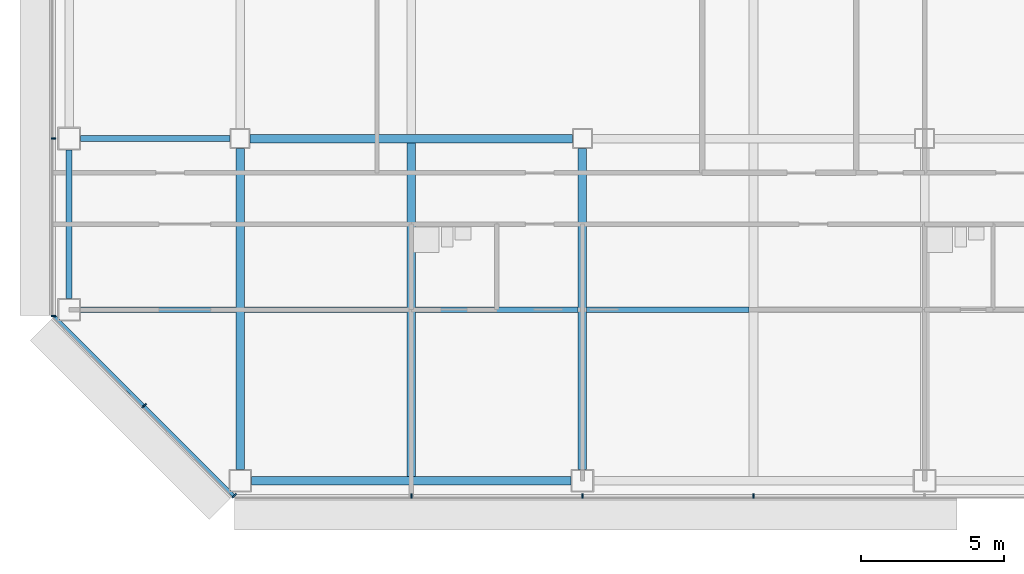
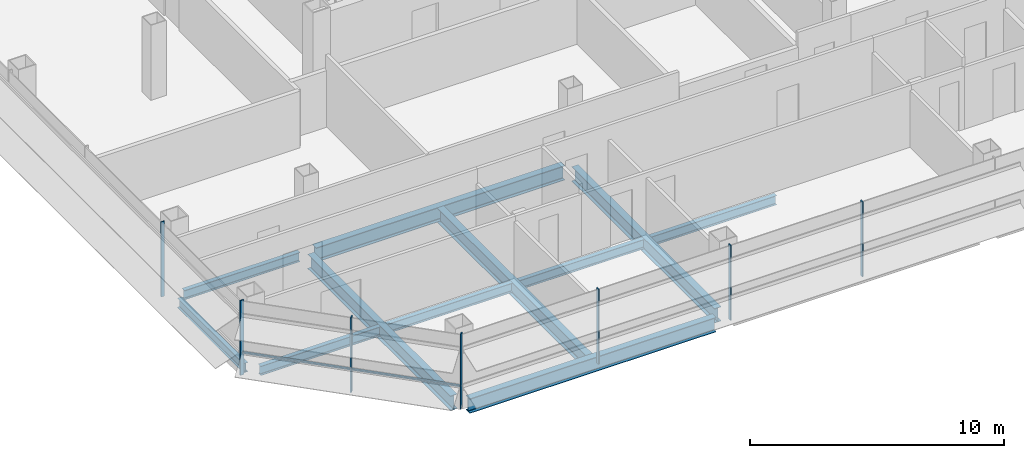
# One storey, part 2 of 25: 11 beams, 8 members, 3 elements without a shape of their own.
"""IFC4 building model written with IfcOpenShell, lengths in metres."""

from ifc_helpers import new_model, si_unit, direction, frame, origin, origin_2d, place, context, subcontext, project, spatial, rectangle, i_section, extrude, material, material_profile, profile_set, type_object, element, aggregate, save


model = new_model("IFC4")

# Units and contexts
model_context = context("Model", 3, precision=1e-05, world=origin(), true_north=direction((0.0, 1.0)))
body_context = subcontext(model_context, "Body", "Model", "MODEL_VIEW")
ifc_project = project(units=[si_unit("LENGTHUNIT", "METRE"), si_unit("AREAUNIT", "SQUARE_METRE"), si_unit("VOLUMEUNIT", "CUBIC_METRE"), si_unit("PLANEANGLEUNIT", "RADIAN"), si_unit("MASSUNIT", "GRAM", prefix="KILO")], contexts=[model_context])

# Site, building, storey
site_placement = place(None, origin())
site = spatial("IfcSite", under=ifc_project, at=site_placement, CompositionType="ELEMENT")
building_placement = place(site_placement, origin())
building = spatial("IfcBuilding", under=site, at=building_placement, Name="Sorahane Residences", CompositionType="ELEMENT")
storey_placement = place(building_placement, frame((0.0, 0.0, 107.0)))
storey = spatial("IfcBuildingStorey", under=building, at=storey_placement, Name="L23", CompositionType="ELEMENT", Elevation=107.0)

# Curtain wall, members
ifc_material_1 = material(Name="Dark low-e glass and black anodised aluminium", Category="aluminium")
curtain_wall_type_1 = type_object("IfcCurtainWallType", Name="Curtain wall CW-1 Typical unitised wall", PredefinedType="NOTDEFINED", material=ifc_material_1)
curtain_wall_1_placement = place(storey_placement, origin())
curtain_wall_1 = element("IfcCurtainWall", 1, at=curtain_wall_1_placement, inside=storey, type_object=curtain_wall_type_1, Name="CW-1 curtain wall L23 S1", PredefinedType="NOTDEFINED")
ifc_material_2 = material(Name="Black anodised aluminium", Category="aluminium")
ifc_material_profile_1 = material_profile(ifc_material_2, rectangle(XDim=0.159912109375, YDim=0.050048828125, at=origin_2d()), Name="Curtain wall mullion CW-1 black anodised aluminium 50x160")
ifc_profile_set_1 = profile_set([ifc_material_profile_1], Name="Black anodised aluminium")
member_type_1 = type_object("IfcMemberType", Name="Curtain wall mullion CW-1 black anodised aluminium 50x160", PredefinedType="MULLION", material=ifc_profile_set_1)
member_1_placement = place(storey_placement, frame((6.0, -0.5400390625, -0.179931640625), z_axis=(0.0, 0.0, 1.0), x_axis=(0.0, -1.0, 0.0)))
member_1 = element("IfcMember", 2, at=member_1_placement, type_object=member_type_1, Name="CW-1 mullion L23 S1.2", PredefinedType="MULLION", context=body_context, shape_type="SweptSolid", body=[
    extrude(rectangle(XDim=0.159912109375, YDim=0.050048828125, at=origin_2d()), origin(), (0.0, 0.0, 1.0), 3.599853515625),
])
member_2_placement = place(storey_placement, frame((12.0, -0.5400390625, -0.179931640625), z_axis=(0.0, 0.0, 1.0), x_axis=(0.0, -1.0, 0.0)))
member_2 = element("IfcMember", 3, at=member_2_placement, type_object=member_type_1, Name="CW-1 mullion L23 S1.3", PredefinedType="MULLION", context=body_context, shape_type="SweptSolid", body=[
    extrude(rectangle(XDim=0.159912109375, YDim=0.050048828125, at=origin_2d()), origin(), (0.0, 0.0, 1.0), 3.599853515625),
])
member_3_placement = place(storey_placement, frame((18.0, -0.5400390625, -0.179931640625), z_axis=(0.0, 0.0, 1.0), x_axis=(0.0, -1.0, 0.0)))
member_3 = element("IfcMember", 4, at=member_3_placement, type_object=member_type_1, Name="CW-1 mullion L23 S1.4", PredefinedType="MULLION", context=body_context, shape_type="SweptSolid", body=[
    extrude(rectangle(XDim=0.159912109375, YDim=0.050048828125, at=origin_2d()), origin(), (0.0, 0.0, 1.0), 3.599853515625),
])
aggregate(curtain_wall_1, [member_1, member_2, member_3])

curtain_wall_2_placement = place(storey_placement, origin())
curtain_wall_2 = element("IfcCurtainWall", 5, at=curtain_wall_2_placement, inside=storey, type_object=curtain_wall_type_1, Name="CW-1 curtain wall L23 W1", PredefinedType="NOTDEFINED")
member_4_placement = place(storey_placement, frame((-6.5400390625, 12.0, -0.179931640625), z_axis=(0.0, 0.0, 1.0), x_axis=(-1.0, 0.0, 0.0)))
member_4 = element("IfcMember", 6, at=member_4_placement, type_object=member_type_1, Name="CW-1 mullion L23 W1.6", PredefinedType="MULLION", context=body_context, shape_type="SweptSolid", body=[
    extrude(rectangle(XDim=0.159912109375, YDim=0.050048828125, at=origin_2d()), origin(), (0.0, 0.0, 1.0), 3.599853515625),
])
member_5_placement = place(storey_placement, frame((-6.5400390625, 5.7763671875, -0.179931640625), z_axis=(0.0, 0.0, 1.0), x_axis=(-1.0, 0.0, 0.0)))
member_5 = element("IfcMember", 7, at=member_5_placement, type_object=member_type_1, Name="CW-1 mullion L23 W1.7", PredefinedType="MULLION", context=body_context, shape_type="SweptSolid", body=[
    extrude(rectangle(XDim=0.159912109375, YDim=0.050048828125, at=origin_2d()), origin(), (0.0, 0.0, 1.0), 3.599853515625),
])
aggregate(curtain_wall_2, [member_4, member_5])

ifc_material_3 = material(Name="Dark low-e glass and black anodised aluminium", Category="aluminium")
curtain_wall_type_2 = type_object("IfcCurtainWallType", Name="Curtain wall CW-2 Chamfer unitised wall", PredefinedType="NOTDEFINED", material=ifc_material_3)
curtain_wall_3_placement = place(storey_placement, origin())
curtain_wall_3 = element("IfcCurtainWall", 8, at=curtain_wall_3_placement, inside=storey, type_object=curtain_wall_type_2, Name="CW-2 curtain wall L23 SW1", PredefinedType="NOTDEFINED")
ifc_material_4 = material(Name="Black anodised aluminium", Category="aluminium")
ifc_material_profile_2 = material_profile(ifc_material_4, rectangle(XDim=0.199951171875, YDim=0.050048828125, at=origin_2d()), Name="Curtain wall mullion CW-2 black anodised aluminium 50x200")
ifc_profile_set_2 = profile_set([ifc_material_profile_2], Name="Black anodised aluminium")
member_type_2 = type_object("IfcMemberType", Name="Curtain wall mullion CW-2 black anodised aluminium 50x200", PredefinedType="MULLION", material=ifc_profile_set_2)
member_6_placement = place(storey_placement, frame((-3.36767578125, 2.63232421875, -0.179931640625), z_axis=(0.0, 0.0, 1.0), x_axis=(-0.707106781187, -0.707106781187, 0.0)))
member_6 = element("IfcMember", 9, at=member_6_placement, type_object=member_type_2, Name="CW-2 mullion L23 SW1.2", PredefinedType="MULLION", context=body_context, shape_type="SweptSolid", body=[
    extrude(rectangle(XDim=0.199951171875, YDim=0.050048828125, at=origin_2d()), origin(), (0.0, 0.0, 1.0), 3.599853515625),
])
member_7_placement = place(storey_placement, frame((-0.209716796875, -0.525634765625, -0.179931640625), z_axis=(0.0, 0.0, 1.0), x_axis=(-0.707106781187, -0.707106781187, 0.0)))
member_7 = element("IfcMember", 10, at=member_7_placement, type_object=member_type_2, Name="CW-2 mullion L23 SW1.3", PredefinedType="MULLION", context=body_context, shape_type="SweptSolid", body=[
    extrude(rectangle(XDim=0.199951171875, YDim=0.050048828125, at=origin_2d()), origin(), (0.0, 0.0, 1.0), 3.599853515625),
])
ifc_material_5 = material(Name="Black anodised aluminium", Category="aluminium")
ifc_material_profile_3 = material_profile(ifc_material_5, rectangle(XDim=0.10009765625, YDim=0.06005859375, at=origin_2d()), Name="Curtain wall transom CW-2 black anodised aluminium 60x100")
ifc_profile_set_3 = profile_set([ifc_material_profile_3], Name="Black anodised aluminium")
member_type_3 = type_object("IfcMemberType", Name="Curtain wall transom CW-2 black anodised aluminium 60x100", PredefinedType="USERDEFINED", material=ifc_profile_set_3)
member_8_placement = place(storey_placement, frame((-6.51513671875, 5.765625, 0.89990234375), z_axis=(0.707106781187, -0.707106781187, 0.0), x_axis=(0.707106781187, 0.707106781187, 0.0)))
member_8 = element("IfcMember", 11, at=member_8_placement, type_object=member_type_3, Name="CW-2 transom L23 SW1", ObjectType="TRANSOM", PredefinedType="USERDEFINED", context=body_context, shape_type="SweptSolid", body=[
    extrude(rectangle(XDim=0.10009765625, YDim=0.06005859375, at=origin_2d()), origin(), (0.0, 0.0, 1.0), 8.88232421875),
])
aggregate(curtain_wall_3, [member_6, member_7, member_8])

# Beams
ifc_material_6 = material(Name="Steel Q355B", Category="steel")
ifc_material_profile_4 = material_profile(ifc_material_6, i_section(OverallWidth=0.199951171875, OverallDepth=0.449951171875, WebThickness=0.009033203125, FlangeThickness=0.013916015625, FilletRadius=0.02001953125, at=origin_2d()), Name="HN 450x200x9x14")
ifc_profile_set_4 = profile_set([ifc_material_profile_4], Name="Steel Q355B")
beam_type_1 = type_object("IfcBeamType", Name="Steel floor beam HN 450x200x9x14 Q355B", PredefinedType="BEAM", material=ifc_profile_set_4)
beam_1_placement = place(storey_placement, frame((-5.60009765625, 12.0, -0.405029296875), z_axis=(1.0, 0.0, 0.0), x_axis=(0.0, 1.0, 0.0)))
element("IfcBeam", 12, at=beam_1_placement, inside=storey, type_object=beam_type_1, Name="Beam L23 005", PredefinedType="BEAM", context=body_context, shape_type="SweptSolid", body=[
    extrude(i_section(OverallWidth=0.199951171875, OverallDepth=0.449951171875, WebThickness=0.009033203125, FlangeThickness=0.013916015625, FilletRadius=0.02001953125, at=origin_2d()), origin(), (0.0, 0.0, 1.0), 5.25),
])
beam_2_placement = place(storey_placement, frame((-6.0, 6.39990234375, -0.405029296875), z_axis=(0.0, 1.0, 0.0), x_axis=(-1.0, 0.0, 0.0)))
element("IfcBeam", 13, at=beam_2_placement, inside=storey, type_object=beam_type_1, Name="Beam L23 020", PredefinedType="BEAM", context=body_context, shape_type="SweptSolid", body=[
    extrude(i_section(OverallWidth=0.199951171875, OverallDepth=0.449951171875, WebThickness=0.009033203125, FlangeThickness=0.013916015625, FilletRadius=0.02001953125, at=origin_2d()), origin(), (0.0, 0.0, 1.0), 5.2001953125),
])
beam_3_placement = place(storey_placement, frame((-5.60009765625, 6.0, -0.405029296875), z_axis=(1.0, 0.0, 0.0), x_axis=(0.0, 1.0, 0.0)))
element("IfcBeam", 14, at=beam_3_placement, inside=storey, type_object=beam_type_1, Name="Beam L23 068", PredefinedType="BEAM", context=body_context, shape_type="SweptSolid", body=[
    extrude(i_section(OverallWidth=0.199951171875, OverallDepth=0.449951171875, WebThickness=0.009033203125, FlangeThickness=0.013916015625, FilletRadius=0.02001953125, at=origin_2d()), origin(), (0.0, 0.0, 1.0), 5.4501953125),
])
for number, where, z_axis, x_axis, name in (
    (15, (0.14990234375, 6.0, -0.405029296875), (1.0, 0.0, 0.0), (0.0, 1.0, 0.0), "Beam L23 069"),
    (16, (6.14990234375, 6.0, -0.405029296875), (1.0, 0.0, 0.0), (0.0, 1.0, 0.0), "Beam L23 070"),
    (17, (12.14990234375, 6.0, -0.405029296875), (1.0, 0.0, 0.0), (0.0, 1.0, 0.0), "Beam L23 071"),
):
    element("IfcBeam", number, at=place(storey_placement, frame(where, z_axis=z_axis, x_axis=x_axis)), inside=storey, type_object=beam_type_1, Name=name, PredefinedType="BEAM", context=body_context, shape_type="SweptSolid", body=[
        extrude(i_section(OverallWidth=0.199951171875, OverallDepth=0.449951171875, WebThickness=0.009033203125, FlangeThickness=0.013916015625, FilletRadius=0.02001953125, at=origin_2d()), origin(), (0.0, 0.0, 1.0), 5.7001953125),
    ])
ifc_material_7 = material(Name="Steel Q355B", Category="steel")
ifc_material_profile_5 = material_profile(ifc_material_7, i_section(OverallWidth=0.300048828125, OverallDepth=0.699951171875, WebThickness=0.012939453125, FlangeThickness=0.02392578125, FilletRadius=0.028076171875, at=origin_2d()), Name="HN 700x300x13x24")
ifc_profile_set_5 = profile_set([ifc_material_profile_5], Name="Steel Q355B")
beam_type_2 = type_object("IfcBeamType", Name="Steel floor beam HN 700x300x13x24 Q355B", PredefinedType="BEAM", material=ifc_profile_set_5)
beam_4_placement = place(storey_placement, frame((0.39990234375, 0.0, -0.530029296875), z_axis=(1.0, 0.0, 0.0), x_axis=(0.0, 1.0, 0.0)))
element("IfcBeam", 18, at=beam_4_placement, inside=storey, type_object=beam_type_2, Name="Beam L23 000", PredefinedType="BEAM", context=body_context, shape_type="SweptSolid", body=[
    extrude(i_section(OverallWidth=0.300048828125, OverallDepth=0.699951171875, WebThickness=0.012939453125, FlangeThickness=0.02392578125, FilletRadius=0.028076171875, at=origin_2d()), origin(), (0.0, 0.0, 1.0), 11.2001953125),
])
beam_5_placement = place(storey_placement, frame((0.35009765625, 12.0, -0.530029296875), z_axis=(1.0, 0.0, 0.0), x_axis=(0.0, 1.0, 0.0)))
element("IfcBeam", 19, at=beam_5_placement, inside=storey, type_object=beam_type_2, Name="Beam L23 006", PredefinedType="BEAM", context=body_context, shape_type="SweptSolid", body=[
    extrude(i_section(OverallWidth=0.300048828125, OverallDepth=0.699951171875, WebThickness=0.012939453125, FlangeThickness=0.02392578125, FilletRadius=0.028076171875, at=origin_2d()), origin(), (0.0, 0.0, 1.0), 11.2998046875),
])
beam_6_placement = place(storey_placement, frame((0.0, 0.39990234375, -0.530029296875), z_axis=(0.0, 1.0, 0.0), x_axis=(-1.0, 0.0, 0.0)))
element("IfcBeam", 20, at=beam_6_placement, inside=storey, type_object=beam_type_2, Name="Beam L23 024", PredefinedType="BEAM", context=body_context, shape_type="SweptSolid", body=[
    extrude(i_section(OverallWidth=0.300048828125, OverallDepth=0.699951171875, WebThickness=0.012939453125, FlangeThickness=0.02392578125, FilletRadius=0.028076171875, at=origin_2d()), origin(), (0.0, 0.0, 1.0), 11.25),
])
beam_7_placement = place(storey_placement, frame((6.0, 0.14990234375, -0.530029296875), z_axis=(0.0, 1.0, 0.0), x_axis=(-1.0, 0.0, 0.0)))
element("IfcBeam", 21, at=beam_7_placement, inside=storey, type_object=beam_type_2, Name="Beam L23 028", PredefinedType="BEAM", context=body_context, shape_type="SweptSolid", body=[
    extrude(i_section(OverallWidth=0.300048828125, OverallDepth=0.699951171875, WebThickness=0.012939453125, FlangeThickness=0.02392578125, FilletRadius=0.028076171875, at=origin_2d()), origin(), (0.0, 0.0, 1.0), 11.7001953125),
])
beam_8_placement = place(storey_placement, frame((12.0, 0.39990234375, -0.530029296875), z_axis=(0.0, 1.0, 0.0), x_axis=(-1.0, 0.0, 0.0)))
element("IfcBeam", 22, at=beam_8_placement, inside=storey, type_object=beam_type_2, Name="Beam L23 034", PredefinedType="BEAM", context=body_context, shape_type="SweptSolid", body=[
    extrude(i_section(OverallWidth=0.300048828125, OverallDepth=0.699951171875, WebThickness=0.012939453125, FlangeThickness=0.02392578125, FilletRadius=0.028076171875, at=origin_2d()), origin(), (0.0, 0.0, 1.0), 11.25),
])

save(model, "model.ifc")
